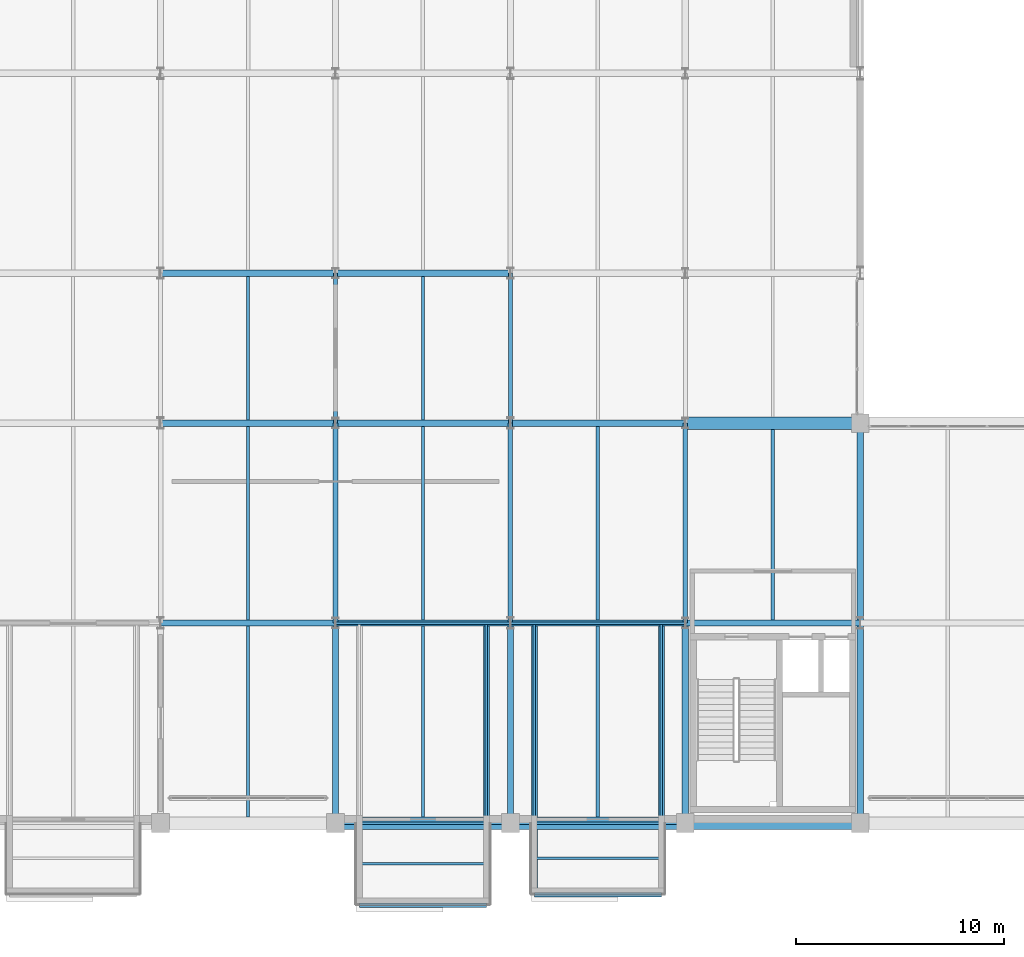
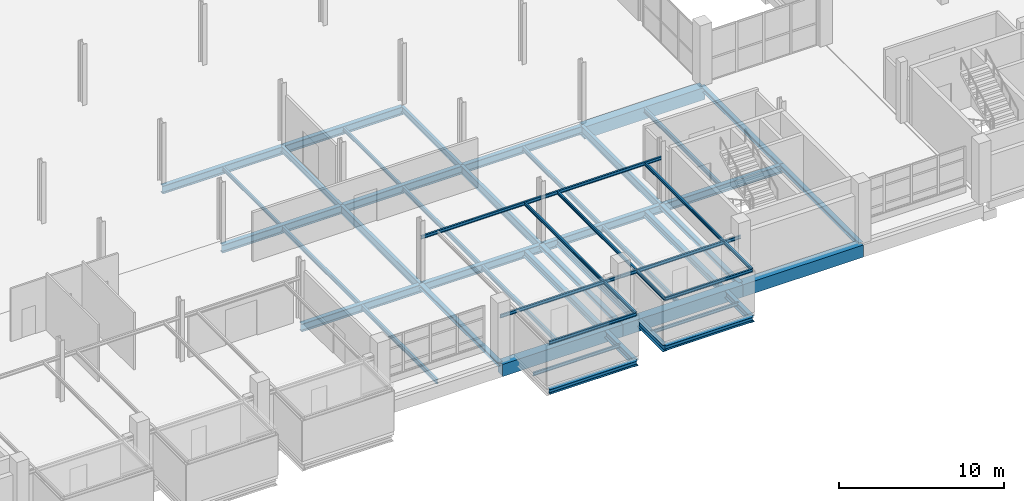
# One storey, part 35 of 109: 48 beams.
"""IFC4 building model written with IfcOpenShell, lengths in metres."""

from ifc_helpers import new_model, si_unit, direction, frame, origin, origin_2d, place, context, subcontext, project, spatial, rectangle, i_section, extrude, material, material_profile, profile_set, type_object, element, save


model = new_model("IFC4")

# Units and contexts
model_context = context("Model", 3, precision=1e-05, world=origin(), true_north=direction((0.0, 1.0)))
body_context = subcontext(model_context, "Body", "Model", "MODEL_VIEW")
ifc_project = project(units=[si_unit("LENGTHUNIT", "METRE"), si_unit("AREAUNIT", "SQUARE_METRE"), si_unit("VOLUMEUNIT", "CUBIC_METRE"), si_unit("PLANEANGLEUNIT", "RADIAN"), si_unit("MASSUNIT", "GRAM", prefix="KILO")], contexts=[model_context])

# Site, building, storey
site_placement = place(None, origin())
site = spatial("IfcSite", under=ifc_project, at=site_placement, CompositionType="ELEMENT")
building_placement = place(site_placement, origin())
building = spatial("IfcBuilding", under=site, at=building_placement, Name="Veltarok Museum of Natural Sciences", CompositionType="ELEMENT")
storey_placement = place(building_placement, frame((0.0, 0.0, 17.39990234375)))
storey = spatial("IfcBuildingStorey", under=building, at=storey_placement, Name="L03", CompositionType="ELEMENT", Elevation=17.39990234375)

# Beams
ifc_material_1 = material(Name="Steel S355J2", Category="steel")
ifc_material_profile_1 = material_profile(ifc_material_1, i_section(OverallWidth=0.300048828125, OverallDepth=0.5, WebThickness=0.014404296875, FlangeThickness=0.028076171875, FilletRadius=0.027099609375, at=origin_2d()), Name="HEB 500")
ifc_profile_set_1 = profile_set([ifc_material_profile_1], Name="Steel S355J2")
beam_type_1 = type_object("IfcBeamType", Name="Cabinet Box Cantilever Girder HEB 500", PredefinedType="BEAM", material=ifc_profile_set_1)
beam_1_placement = place(storey_placement, frame((80.85009765625, -3.89990234375, -0.5), z_axis=(0.0, 1.0, 0.0), x_axis=(-1.0, 0.0, 0.0)))
element("IfcBeam", 1, at=beam_1_placement, inside=storey, type_object=beam_type_1, Name="Cabinet Cantilever Girder DB-16-2", PredefinedType="BEAM", context=body_context, shape_type="SweptSolid", body=[
    extrude(i_section(OverallWidth=0.300048828125, OverallDepth=0.5, WebThickness=0.014404296875, FlangeThickness=0.028076171875, FilletRadius=0.027099609375, at=origin_2d()), origin(), (0.0, 0.0, 1.0), 13.5),
])
for number, where, z_axis, x_axis, name in (
    (2, (83.14990234375, -3.39990234375, -0.5), (0.0, 1.0, 0.0), (-1.0, 0.0, 0.0), "Cabinet Cantilever Girder DB-17-1"),
    (3, (89.25, -3.39990234375, -0.5), (0.0, 1.0, 0.0), (-1.0, 0.0, 0.0), "Cabinet Cantilever Girder DB-17-2"),
):
    element("IfcBeam", number, at=place(storey_placement, frame(where, z_axis=z_axis, x_axis=x_axis)), inside=storey, type_object=beam_type_1, Name=name, PredefinedType="BEAM", context=body_context, shape_type="SweptSolid", body=[
        extrude(i_section(OverallWidth=0.300048828125, OverallDepth=0.5, WebThickness=0.014404296875, FlangeThickness=0.028076171875, FilletRadius=0.027099609375, at=origin_2d()), origin(), (0.0, 0.0, 1.0), 13.0),
    ])
ifc_material_profile_2 = material_profile(ifc_material_1, i_section(OverallWidth=0.1201171875, OverallDepth=0.239990234375, WebThickness=0.006103515625, FlangeThickness=0.009765625, FilletRadius=0.014892578125, at=origin_2d()), Name="IPE 240")
ifc_profile_set_2 = profile_set([ifc_material_profile_2], Name="Steel S355J2")
beam_type_2 = type_object("IfcBeamType", Name="Cabinet Box Secondary Joist IPE 240", PredefinedType="JOIST", material=ifc_profile_set_2)
beam_2_placement = place(storey_placement, frame((80.85009765625, -3.89990234375, 3.130126953125), z_axis=(0.0, 1.0, 0.0), x_axis=(-1.0, 0.0, 0.0)))
element("IfcBeam", 4, at=beam_2_placement, inside=storey, type_object=beam_type_2, Name="Cabinet Roof Rafter DB-16-2", PredefinedType="JOIST", context=body_context, shape_type="SweptSolid", body=[
    extrude(i_section(OverallWidth=0.1201171875, OverallDepth=0.239990234375, WebThickness=0.006103515625, FlangeThickness=0.009765625, FilletRadius=0.014892578125, at=origin_2d()), origin(), (0.0, 0.0, 1.0), 13.5),
])
for number, where, z_axis, x_axis, name in (
    (5, (73.60009765625, 0.0, 3.130126953125), (1.0, 0.0, 0.0), (0.0, 1.0, 0.0), "Cabinet Roof Tie Beam DB-16-P"),
    (6, (73.60009765625, 9.60009765625, 3.130126953125), (1.0, 0.0, 0.0), (0.0, 1.0, 0.0), "Cabinet Roof Tie Beam DB-16-I"),
):
    element("IfcBeam", number, at=place(storey_placement, frame(where, z_axis=z_axis, x_axis=x_axis)), inside=storey, type_object=beam_type_2, Name=name, PredefinedType="JOIST", context=body_context, shape_type="SweptSolid", body=[
        extrude(i_section(OverallWidth=0.1201171875, OverallDepth=0.239990234375, WebThickness=0.006103515625, FlangeThickness=0.009765625, FilletRadius=0.014892578125, at=origin_2d()), origin(), (0.0, 0.0, 1.0), 8.39990234375),
    ])
for number, where, z_axis, x_axis, name in (
    (7, (74.75, -3.89990234375, 3.130126953125), (1.0, 0.0, 0.0), (0.0, 1.0, 0.0), "Cabinet Roof Tip Header DB-16"),
    (8, (74.75, -1.949951171875, -0.369873046875), (1.0, 0.0, 0.0), (0.0, 1.0, 0.0), "Cabinet Box Joist DB-16"),
):
    element("IfcBeam", number, at=place(storey_placement, frame(where, z_axis=z_axis, x_axis=x_axis)), inside=storey, type_object=beam_type_2, Name=name, PredefinedType="JOIST", context=body_context, shape_type="SweptSolid", body=[
        extrude(i_section(OverallWidth=0.1201171875, OverallDepth=0.239990234375, WebThickness=0.006103515625, FlangeThickness=0.009765625, FilletRadius=0.014892578125, at=origin_2d()), origin(), (0.0, 0.0, 1.0), 6.10009765625),
    ])
for number, where, z_axis, x_axis, name in (
    (9, (83.14990234375, -3.39990234375, 3.130126953125), (0.0, 1.0, 0.0), (-1.0, 0.0, 0.0), "Cabinet Roof Rafter DB-17-1"),
    (10, (89.25, -3.39990234375, 3.130126953125), (0.0, 1.0, 0.0), (-1.0, 0.0, 0.0), "Cabinet Roof Rafter DB-17-2"),
):
    element("IfcBeam", number, at=place(storey_placement, frame(where, z_axis=z_axis, x_axis=x_axis)), inside=storey, type_object=beam_type_2, Name=name, PredefinedType="JOIST", context=body_context, shape_type="SweptSolid", body=[
        extrude(i_section(OverallWidth=0.1201171875, OverallDepth=0.239990234375, WebThickness=0.006103515625, FlangeThickness=0.009765625, FilletRadius=0.014892578125, at=origin_2d()), origin(), (0.0, 0.0, 1.0), 13.0),
    ])
for number, where, z_axis, x_axis, name in (
    (11, (82.0, 0.0, 3.130126953125), (1.0, 0.0, 0.0), (0.0, 1.0, 0.0), "Cabinet Roof Tie Beam DB-17-P"),
    (12, (82.0, 9.60009765625, 3.130126953125), (1.0, 0.0, 0.0), (0.0, 1.0, 0.0), "Cabinet Roof Tie Beam DB-17-I"),
):
    element("IfcBeam", number, at=place(storey_placement, frame(where, z_axis=z_axis, x_axis=x_axis)), inside=storey, type_object=beam_type_2, Name=name, PredefinedType="JOIST", context=body_context, shape_type="SweptSolid", body=[
        extrude(i_section(OverallWidth=0.1201171875, OverallDepth=0.239990234375, WebThickness=0.006103515625, FlangeThickness=0.009765625, FilletRadius=0.014892578125, at=origin_2d()), origin(), (0.0, 0.0, 1.0), 8.39990234375),
    ])
for number, where, z_axis, x_axis, name in (
    (13, (83.14990234375, -3.39990234375, 3.130126953125), (1.0, 0.0, 0.0), (0.0, 1.0, 0.0), "Cabinet Roof Tip Header DB-17"),
    (14, (83.14990234375, -1.699951171875, -0.369873046875), (1.0, 0.0, 0.0), (0.0, 1.0, 0.0), "Cabinet Box Joist DB-17"),
):
    element("IfcBeam", number, at=place(storey_placement, frame(where, z_axis=z_axis, x_axis=x_axis)), inside=storey, type_object=beam_type_2, Name=name, PredefinedType="JOIST", context=body_context, shape_type="SweptSolid", body=[
        extrude(i_section(OverallWidth=0.1201171875, OverallDepth=0.239990234375, WebThickness=0.006103515625, FlangeThickness=0.009765625, FilletRadius=0.014892578125, at=origin_2d()), origin(), (0.0, 0.0, 1.0), 6.10009765625),
    ])
ifc_material_profile_3 = material_profile(ifc_material_1, i_section(OverallWidth=0.300048828125, OverallDepth=0.35009765625, WebThickness=0.010009765625, FlangeThickness=0.017578125, FilletRadius=0.027099609375, at=origin_2d()), Name="HEA 360")
ifc_profile_set_3 = profile_set([ifc_material_profile_3], Name="Steel S355J2")
beam_type_3 = type_object("IfcBeamType", Name="Cabinet Box Tip Header HEA 360", PredefinedType="BEAM", material=ifc_profile_set_3)
for number, where, z_axis, x_axis, name in (
    (15, (74.75, -3.89990234375, -0.4248046875), (1.0, 0.0, 0.0), (0.0, 1.0, 0.0), "Cabinet Tip Header DB-16"),
    (16, (83.14990234375, -3.39990234375, -0.4248046875), (1.0, 0.0, 0.0), (0.0, 1.0, 0.0), "Cabinet Tip Header DB-17"),
):
    element("IfcBeam", number, at=place(storey_placement, frame(where, z_axis=z_axis, x_axis=x_axis)), inside=storey, type_object=beam_type_3, Name=name, PredefinedType="BEAM", context=body_context, shape_type="SweptSolid", body=[
        extrude(i_section(OverallWidth=0.300048828125, OverallDepth=0.35009765625, WebThickness=0.010009765625, FlangeThickness=0.017578125, FilletRadius=0.027099609375, at=origin_2d()), origin(), (0.0, 0.0, 1.0), 6.10009765625),
    ])
ifc_material_2 = material(Name="Concrete C40/50", Category="concrete")
ifc_material_profile_4 = material_profile(ifc_material_2, rectangle(XDim=0.60009765625, YDim=0.89990234375, at=origin_2d()), Name="RC 600x900")
ifc_profile_set_4 = profile_set([ifc_material_profile_4], Name="Concrete C40/50")
beam_type_4 = type_object("IfcBeamType", Name="Exposed Cabinet Perimeter Spandrel RC 600x900", PredefinedType="SPANDREL", material=ifc_profile_set_4)
for number, where, z_axis, x_axis, name in (
    (17, (73.60009765625, 0.0, -0.699951171875), (1.0, 0.0, 0.0), (0.0, 1.0, 0.0), "Beam BM-SP01 L03 9-10/A"),
    (18, (82.0, 0.0, -0.699951171875), (1.0, 0.0, 0.0), (0.0, 1.0, 0.0), "Beam BM-SP01 L03 10-11/A"),
):
    element("IfcBeam", number, at=place(storey_placement, frame(where, z_axis=z_axis, x_axis=x_axis)), inside=storey, type_object=beam_type_4, Name=name, PredefinedType="SPANDREL", context=body_context, shape_type="SweptSolid", body=[
        extrude(rectangle(XDim=0.60009765625, YDim=0.89990234375, at=origin_2d()), origin(), (0.0, 0.0, 1.0), 8.39990234375),
    ])
for number, where, z_axis, x_axis, name in (
    (19, (90.39990234375, 0.0, -0.699951171875), (1.0, 0.0, 0.0), (0.0, 1.0, 0.0), "Beam BM-SP01 L03 11-12/A"),
    (20, (90.39990234375, 19.199951171875, -0.699951171875), (1.0, 0.0, 0.0), (0.0, 1.0, 0.0), "Beam BM-SP01 L03 11-12/C"),
):
    element("IfcBeam", number, at=place(storey_placement, frame(where, z_axis=z_axis, x_axis=x_axis)), inside=storey, type_object=beam_type_4, Name=name, PredefinedType="SPANDREL", context=body_context, shape_type="SweptSolid", body=[
        extrude(rectangle(XDim=0.60009765625, YDim=0.89990234375, at=origin_2d()), origin(), (0.0, 0.0, 1.0), 8.400146484375),
    ])
ifc_material_profile_5 = material_profile(ifc_material_1, i_section(OverallWidth=0.300048828125, OverallDepth=0.590087890625, WebThickness=0.012939453125, FlangeThickness=0.02490234375, FilletRadius=0.027099609375, at=origin_2d()), Name="HEA 600")
ifc_profile_set_5 = profile_set([ifc_material_profile_5], Name="Steel S355J2")
beam_type_5 = type_object("IfcBeamType", Name="Heavy Archive Girder HEA 600", PredefinedType="BEAM", material=ifc_profile_set_5)
beam_3_placement = place(storey_placement, frame((65.199951171875, 9.60009765625, -0.544921875), z_axis=(1.0, 0.0, 0.0), x_axis=(0.0, 1.0, 0.0)))
element("IfcBeam", 21, at=beam_3_placement, inside=storey, type_object=beam_type_5, Name="Beam BM-G07 L03 8-9/B", PredefinedType="BEAM", context=body_context, shape_type="SweptSolid", body=[
    extrude(i_section(OverallWidth=0.300048828125, OverallDepth=0.590087890625, WebThickness=0.012939453125, FlangeThickness=0.02490234375, FilletRadius=0.027099609375, at=origin_2d()), origin(), (0.0, 0.0, 1.0), 8.400146484375),
])
for number, where, z_axis, x_axis, name in (
    (22, (73.60009765625, 9.60009765625, -0.544921875), (1.0, 0.0, 0.0), (0.0, 1.0, 0.0), "Beam BM-G07 L03 9-10/B"),
    (23, (82.0, 9.60009765625, -0.544921875), (1.0, 0.0, 0.0), (0.0, 1.0, 0.0), "Beam BM-G07 L03 10-11/B"),
):
    element("IfcBeam", number, at=place(storey_placement, frame(where, z_axis=z_axis, x_axis=x_axis)), inside=storey, type_object=beam_type_5, Name=name, PredefinedType="BEAM", context=body_context, shape_type="SweptSolid", body=[
        extrude(i_section(OverallWidth=0.300048828125, OverallDepth=0.590087890625, WebThickness=0.012939453125, FlangeThickness=0.02490234375, FilletRadius=0.027099609375, at=origin_2d()), origin(), (0.0, 0.0, 1.0), 8.39990234375),
    ])
for number, where, z_axis, x_axis, name in (
    (24, (90.39990234375, 9.60009765625, -0.544921875), (1.0, 0.0, 0.0), (0.0, 1.0, 0.0), "Beam BM-G07 L03 11-12/B"),
    (25, (65.199951171875, 19.199951171875, -0.544921875), (1.0, 0.0, 0.0), (0.0, 1.0, 0.0), "Beam BM-G07 L03 8-9/C"),
):
    element("IfcBeam", number, at=place(storey_placement, frame(where, z_axis=z_axis, x_axis=x_axis)), inside=storey, type_object=beam_type_5, Name=name, PredefinedType="BEAM", context=body_context, shape_type="SweptSolid", body=[
        extrude(i_section(OverallWidth=0.300048828125, OverallDepth=0.590087890625, WebThickness=0.012939453125, FlangeThickness=0.02490234375, FilletRadius=0.027099609375, at=origin_2d()), origin(), (0.0, 0.0, 1.0), 8.400146484375),
    ])
for number, where, z_axis, x_axis, name in (
    (26, (73.60009765625, 19.199951171875, -0.544921875), (1.0, 0.0, 0.0), (0.0, 1.0, 0.0), "Beam BM-G07 L03 9-10/C"),
    (27, (82.0, 19.199951171875, -0.544921875), (1.0, 0.0, 0.0), (0.0, 1.0, 0.0), "Beam BM-G07 L03 10-11/C"),
):
    element("IfcBeam", number, at=place(storey_placement, frame(where, z_axis=z_axis, x_axis=x_axis)), inside=storey, type_object=beam_type_5, Name=name, PredefinedType="BEAM", context=body_context, shape_type="SweptSolid", body=[
        extrude(i_section(OverallWidth=0.300048828125, OverallDepth=0.590087890625, WebThickness=0.012939453125, FlangeThickness=0.02490234375, FilletRadius=0.027099609375, at=origin_2d()), origin(), (0.0, 0.0, 1.0), 8.39990234375),
    ])
beam_4_placement = place(storey_placement, frame((65.199951171875, 26.39990234375, -0.544921875), z_axis=(1.0, 0.0, 0.0), x_axis=(0.0, 1.0, 0.0)))
element("IfcBeam", 28, at=beam_4_placement, inside=storey, type_object=beam_type_5, Name="Beam BM-G07 L03 8-9/D", PredefinedType="BEAM", context=body_context, shape_type="SweptSolid", body=[
    extrude(i_section(OverallWidth=0.300048828125, OverallDepth=0.590087890625, WebThickness=0.012939453125, FlangeThickness=0.02490234375, FilletRadius=0.027099609375, at=origin_2d()), origin(), (0.0, 0.0, 1.0), 8.400146484375),
])
beam_5_placement = place(storey_placement, frame((73.60009765625, 26.39990234375, -0.544921875), z_axis=(1.0, 0.0, 0.0), x_axis=(0.0, 1.0, 0.0)))
element("IfcBeam", 29, at=beam_5_placement, inside=storey, type_object=beam_type_5, Name="Beam BM-G07 L03 9-10/D", PredefinedType="BEAM", context=body_context, shape_type="SweptSolid", body=[
    extrude(i_section(OverallWidth=0.300048828125, OverallDepth=0.590087890625, WebThickness=0.012939453125, FlangeThickness=0.02490234375, FilletRadius=0.027099609375, at=origin_2d()), origin(), (0.0, 0.0, 1.0), 8.39990234375),
])
ifc_material_profile_6 = material_profile(ifc_material_1, i_section(OverallWidth=0.18994140625, OverallDepth=0.449951171875, WebThickness=0.009521484375, FlangeThickness=0.0146484375, FilletRadius=0.02099609375, at=origin_2d()), Name="IPE 450")
ifc_profile_set_6 = profile_set([ifc_material_profile_6], Name="Steel S355J2")
beam_type_6 = type_object("IfcBeamType", Name="Laboratory Floor Girder IPE 450", PredefinedType="BEAM", material=ifc_profile_set_6)
for number, where, z_axis, x_axis, name in (
    (30, (73.60009765625, 19.199951171875, -0.474853515625), (0.0, 1.0, 0.0), (-1.0, 0.0, 0.0), "Beam BM-G05 L03 9/C-D"),
    (31, (82.0, 19.199951171875, -0.474853515625), (0.0, 1.0, 0.0), (-1.0, 0.0, 0.0), "Beam BM-G05 L03 10/C-D"),
):
    element("IfcBeam", number, at=place(storey_placement, frame(where, z_axis=z_axis, x_axis=x_axis)), inside=storey, type_object=beam_type_6, Name=name, PredefinedType="BEAM", context=body_context, shape_type="SweptSolid", body=[
        extrude(i_section(OverallWidth=0.18994140625, OverallDepth=0.449951171875, WebThickness=0.009521484375, FlangeThickness=0.0146484375, FilletRadius=0.02099609375, at=origin_2d()), origin(), (0.0, 0.0, 1.0), 7.199951171875),
    ])
ifc_material_profile_7 = material_profile(ifc_material_1, i_section(OverallWidth=0.159912109375, OverallDepth=0.330078125, WebThickness=0.007568359375, FlangeThickness=0.011474609375, FilletRadius=0.01806640625, at=origin_2d()), Name="IPE 330")
ifc_profile_set_7 = profile_set([ifc_material_profile_7], Name="Steel S355J2")
beam_type_7 = type_object("IfcBeamType", Name="Medium-Bay Composite Joist IPE 330", PredefinedType="JOIST", material=ifc_profile_set_7)
beam_6_placement = place(storey_placement, frame((69.39990234375, 0.298095703125, -0.414794921875), z_axis=(0.0, 1.0, 0.0), x_axis=(-1.0, 0.0, 0.0)))
element("IfcBeam", 32, at=beam_6_placement, inside=storey, type_object=beam_type_7, Name="Secondary Joist BM-J02 L03 8-9/A-B.1", PredefinedType="JOIST", context=body_context, shape_type="SweptSolid", body=[
    extrude(i_section(OverallWidth=0.159912109375, OverallDepth=0.330078125, WebThickness=0.007568359375, FlangeThickness=0.011474609375, FilletRadius=0.01806640625, at=origin_2d()), origin(), (0.0, 0.0, 1.0), 9.15380859375),
])
beam_7_placement = place(storey_placement, frame((69.39990234375, 9.748046875, -0.414794921875), z_axis=(0.0, 1.0, 0.0), x_axis=(-1.0, 0.0, 0.0)))
element("IfcBeam", 33, at=beam_7_placement, inside=storey, type_object=beam_type_7, Name="Secondary Joist BM-J02 L03 8-9/B-C.1", PredefinedType="JOIST", context=body_context, shape_type="SweptSolid", body=[
    extrude(i_section(OverallWidth=0.159912109375, OverallDepth=0.330078125, WebThickness=0.007568359375, FlangeThickness=0.011474609375, FilletRadius=0.01806640625, at=origin_2d()), origin(), (0.0, 0.0, 1.0), 9.303955078125),
])
beam_8_placement = place(storey_placement, frame((77.800048828125, 0.298095703125, -0.414794921875), z_axis=(0.0, 1.0, 0.0), x_axis=(-1.0, 0.0, 0.0)))
element("IfcBeam", 34, at=beam_8_placement, inside=storey, type_object=beam_type_7, Name="Secondary Joist BM-J02 L03 9-10/A-B.1", PredefinedType="JOIST", context=body_context, shape_type="SweptSolid", body=[
    extrude(i_section(OverallWidth=0.159912109375, OverallDepth=0.330078125, WebThickness=0.007568359375, FlangeThickness=0.011474609375, FilletRadius=0.01806640625, at=origin_2d()), origin(), (0.0, 0.0, 1.0), 9.15380859375),
])
beam_9_placement = place(storey_placement, frame((77.800048828125, 9.748046875, -0.414794921875), z_axis=(0.0, 1.0, 0.0), x_axis=(-1.0, 0.0, 0.0)))
element("IfcBeam", 35, at=beam_9_placement, inside=storey, type_object=beam_type_7, Name="Secondary Joist BM-J02 L03 9-10/B-C.1", PredefinedType="JOIST", context=body_context, shape_type="SweptSolid", body=[
    extrude(i_section(OverallWidth=0.159912109375, OverallDepth=0.330078125, WebThickness=0.007568359375, FlangeThickness=0.011474609375, FilletRadius=0.01806640625, at=origin_2d()), origin(), (0.0, 0.0, 1.0), 9.303955078125),
])
beam_10_placement = place(storey_placement, frame((86.199951171875, 0.298095703125, -0.414794921875), z_axis=(0.0, 1.0, 0.0), x_axis=(-1.0, 0.0, 0.0)))
element("IfcBeam", 36, at=beam_10_placement, inside=storey, type_object=beam_type_7, Name="Secondary Joist BM-J02 L03 10-11/A-B.1", PredefinedType="JOIST", context=body_context, shape_type="SweptSolid", body=[
    extrude(i_section(OverallWidth=0.159912109375, OverallDepth=0.330078125, WebThickness=0.007568359375, FlangeThickness=0.011474609375, FilletRadius=0.01806640625, at=origin_2d()), origin(), (0.0, 0.0, 1.0), 9.15380859375),
])
beam_11_placement = place(storey_placement, frame((86.199951171875, 9.748046875, -0.414794921875), z_axis=(0.0, 1.0, 0.0), x_axis=(-1.0, 0.0, 0.0)))
element("IfcBeam", 37, at=beam_11_placement, inside=storey, type_object=beam_type_7, Name="Secondary Joist BM-J02 L03 10-11/B-C.1", PredefinedType="JOIST", context=body_context, shape_type="SweptSolid", body=[
    extrude(i_section(OverallWidth=0.159912109375, OverallDepth=0.330078125, WebThickness=0.007568359375, FlangeThickness=0.011474609375, FilletRadius=0.01806640625, at=origin_2d()), origin(), (0.0, 0.0, 1.0), 9.303955078125),
])
beam_12_placement = place(storey_placement, frame((94.60009765625, 9.748046875, -0.414794921875), z_axis=(0.0, 1.0, 0.0), x_axis=(-1.0, 0.0, 0.0)))
element("IfcBeam", 38, at=beam_12_placement, inside=storey, type_object=beam_type_7, Name="Secondary Joist BM-J02 L03 11-12/B-C.1", PredefinedType="JOIST", context=body_context, shape_type="SweptSolid", body=[
    extrude(i_section(OverallWidth=0.159912109375, OverallDepth=0.330078125, WebThickness=0.007568359375, FlangeThickness=0.011474609375, FilletRadius=0.01806640625, at=origin_2d()), origin(), (0.0, 0.0, 1.0), 9.154052734375),
])
ifc_material_profile_8 = material_profile(ifc_material_1, i_section(OverallWidth=0.300048828125, OverallDepth=0.31005859375, WebThickness=0.009033203125, FlangeThickness=0.015380859375, FilletRadius=0.027099609375, at=origin_2d()), Name="HEA 320")
ifc_profile_set_8 = profile_set([ifc_material_profile_8], Name="Steel S355J2")
beam_type_8 = type_object("IfcBeamType", Name="Perimeter Edge Spandrel HEA 320", PredefinedType="SPANDREL", material=ifc_profile_set_8)
for number, where, z_axis, x_axis, name in (
    (39, (73.60009765625, 0.0, -0.40478515625), (0.0, 1.0, 0.0), (-1.0, 0.0, 0.0), "Beam BM-SP04 L03 9/A-B"),
    (40, (82.0, 0.0, -0.40478515625), (0.0, 1.0, 0.0), (-1.0, 0.0, 0.0), "Beam BM-SP04 L03 10/A-B"),
    (41, (90.39990234375, 0.0, -0.40478515625), (0.0, 1.0, 0.0), (-1.0, 0.0, 0.0), "Beam BM-SP04 L03 11/A-B"),
    (42, (98.800048828125, 0.0, -0.40478515625), (0.0, 1.0, 0.0), (-1.0, 0.0, 0.0), "Beam BM-SP04 L03 12/A-B"),
):
    element("IfcBeam", number, at=place(storey_placement, frame(where, z_axis=z_axis, x_axis=x_axis)), inside=storey, type_object=beam_type_8, Name=name, PredefinedType="SPANDREL", context=body_context, shape_type="SweptSolid", body=[
        extrude(i_section(OverallWidth=0.300048828125, OverallDepth=0.31005859375, WebThickness=0.009033203125, FlangeThickness=0.015380859375, FilletRadius=0.027099609375, at=origin_2d()), origin(), (0.0, 0.0, 1.0), 9.60009765625),
    ])
beam_13_placement = place(storey_placement, frame((98.800048828125, 9.60009765625, -0.40478515625), z_axis=(0.0, 1.0, 0.0), x_axis=(-1.0, 0.0, 0.0)))
element("IfcBeam", 43, at=beam_13_placement, inside=storey, type_object=beam_type_8, Name="Beam BM-SP04 L03 12/B-C", PredefinedType="SPANDREL", context=body_context, shape_type="SweptSolid", body=[
    extrude(i_section(OverallWidth=0.300048828125, OverallDepth=0.31005859375, WebThickness=0.009033203125, FlangeThickness=0.015380859375, FilletRadius=0.027099609375, at=origin_2d()), origin(), (0.0, 0.0, 1.0), 9.599853515625),
])
ifc_material_profile_9 = material_profile(ifc_material_1, i_section(OverallWidth=0.219970703125, OverallDepth=0.60009765625, WebThickness=0.011962890625, FlangeThickness=0.01904296875, FilletRadius=0.02392578125, at=origin_2d()), Name="IPE 600")
ifc_profile_set_9 = profile_set([ifc_material_profile_9], Name="Steel S355J2")
beam_type_9 = type_object("IfcBeamType", Name="Primary Museum Girder IPE 600", PredefinedType="BEAM", material=ifc_profile_set_9)
for number, where, z_axis, x_axis, name in (
    (44, (73.60009765625, 9.60009765625, -0.5498046875), (0.0, 1.0, 0.0), (-1.0, 0.0, 0.0), "Beam BM-G02 L03 9/B-C"),
    (45, (82.0, 9.60009765625, -0.5498046875), (0.0, 1.0, 0.0), (-1.0, 0.0, 0.0), "Beam BM-G02 L03 10/B-C"),
    (46, (90.39990234375, 9.60009765625, -0.5498046875), (0.0, 1.0, 0.0), (-1.0, 0.0, 0.0), "Beam BM-G02 L03 11/B-C"),
):
    element("IfcBeam", number, at=place(storey_placement, frame(where, z_axis=z_axis, x_axis=x_axis)), inside=storey, type_object=beam_type_9, Name=name, PredefinedType="BEAM", context=body_context, shape_type="SweptSolid", body=[
        extrude(i_section(OverallWidth=0.219970703125, OverallDepth=0.60009765625, WebThickness=0.011962890625, FlangeThickness=0.01904296875, FilletRadius=0.02392578125, at=origin_2d()), origin(), (0.0, 0.0, 1.0), 9.599853515625),
    ])
ifc_material_profile_10 = material_profile(ifc_material_1, i_section(OverallWidth=0.135009765625, OverallDepth=0.27001953125, WebThickness=0.006591796875, FlangeThickness=0.01025390625, FilletRadius=0.014892578125, at=origin_2d()), Name="IPE 270")
ifc_profile_set_10 = profile_set([ifc_material_profile_10], Name="Steel S355J2")
beam_type_10 = type_object("IfcBeamType", Name="Short-Bay Composite Joist IPE 270", PredefinedType="JOIST", material=ifc_profile_set_10)
for number, where, z_axis, x_axis, name in (
    (47, (69.39990234375, 19.347900390625, -0.385009765625), (0.0, 1.0, 0.0), (-1.0, 0.0, 0.0), "Secondary Joist BM-J04 L03 8-9/C-D.1"),
    (48, (77.800048828125, 19.347900390625, -0.385009765625), (0.0, 1.0, 0.0), (-1.0, 0.0, 0.0), "Secondary Joist BM-J04 L03 9-10/C-D.1"),
):
    element("IfcBeam", number, at=place(storey_placement, frame(where, z_axis=z_axis, x_axis=x_axis)), inside=storey, type_object=beam_type_10, Name=name, PredefinedType="JOIST", context=body_context, shape_type="SweptSolid", body=[
        extrude(i_section(OverallWidth=0.135009765625, OverallDepth=0.27001953125, WebThickness=0.006591796875, FlangeThickness=0.01025390625, FilletRadius=0.014892578125, at=origin_2d()), origin(), (0.0, 0.0, 1.0), 6.904052734375),
    ])

save(model, "model.ifc")
